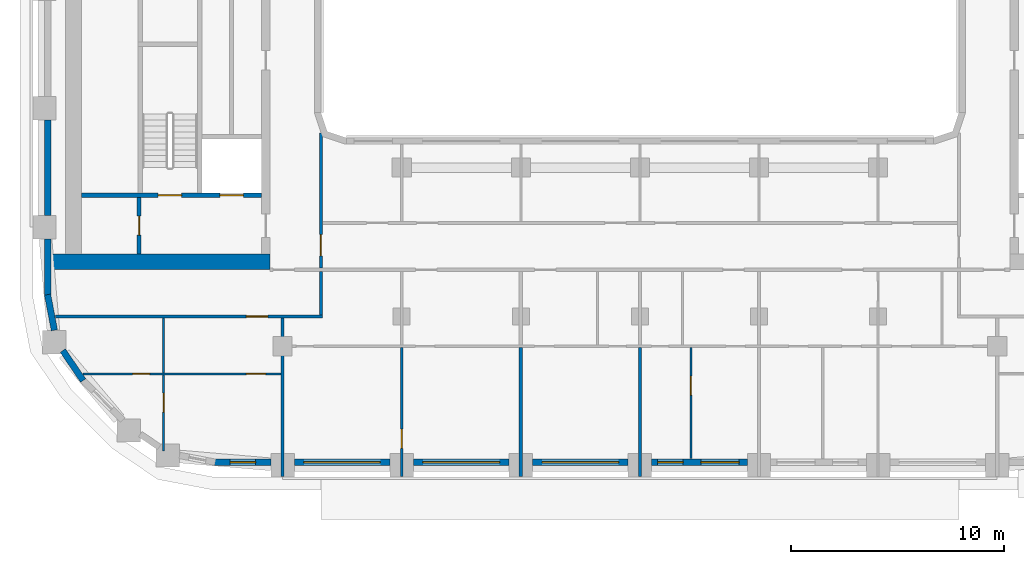
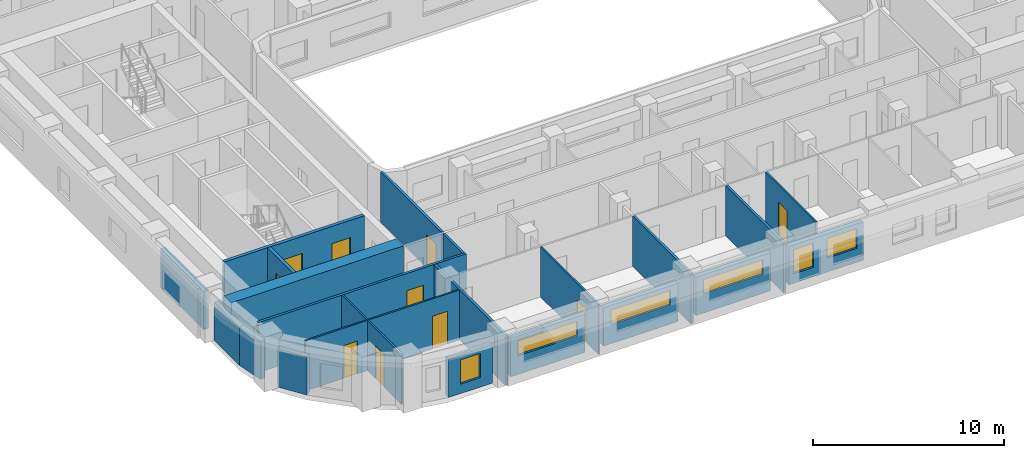
# One storey, part 2 of 22: 23 walls, 10 doors, 6 windows, 16 openings.
"""IFC4 building model written with IfcOpenShell, lengths in metres."""

from ifc_helpers import new_model, si_unit, direction, frame, frame_2d, origin, place, context, subcontext, project, spatial, rectangle, extrude, material, layer, layer_set, type_object, element, fill, save


model = new_model("IFC4")

# Units and contexts
model_context = context("Model", 3, precision=1e-05, world=origin(), true_north=direction((0.0, 1.0)))
body_context = subcontext(model_context, "Body", "Model", "MODEL_VIEW")
ifc_project = project(units=[si_unit("LENGTHUNIT", "METRE"), si_unit("AREAUNIT", "SQUARE_METRE"), si_unit("VOLUMEUNIT", "CUBIC_METRE"), si_unit("PLANEANGLEUNIT", "RADIAN"), si_unit("MASSUNIT", "GRAM", prefix="KILO")], contexts=[model_context])

# Site, building, storey
site_placement = place(None, origin())
site = spatial("IfcSite", under=ifc_project, at=site_placement, CompositionType="ELEMENT")
building_placement = place(site_placement, origin())
building = spatial("IfcBuilding", under=site, at=building_placement, Name="Kiln Ring Residences", CompositionType="ELEMENT")
storey_placement = place(building_placement, frame((0.0, 0.0, 139.60009765625)))
storey = spatial("IfcBuildingStorey", under=building, at=storey_placement, Name="L35", CompositionType="ELEMENT", Elevation=139.60009765625)

# Wall, opening, door
ifc_material_1 = material(Name="Gypsum board on steel studs", Category="steel")
ifc_layer_1 = layer(ifc_material_1, 0.199951171875)
ifc_layer_set_1 = layer_set([ifc_layer_1], Name="CORE-PARTITION-200")
wall_type_1 = type_object("IfcWallType", Name="CORE-PARTITION-200", PredefinedType="PARTITIONING", material=ifc_layer_set_1)
wall_1_placement = place(storey_placement, frame((-23.550048828125, -12.449951171875, 0.0), z_axis=(0.0, 0.0, 1.0), x_axis=(0.0, 1.0, 0.0)))
wall_1 = element("IfcWall", 1, at=wall_1_placement, inside=storey, type_object=wall_type_1, Name="Core partition west L35 5", PredefinedType="PARTITIONING", context=body_context, shape_type="SweptSolid", body=[
    extrude(rectangle(XDim=2.64990234375, YDim=0.199951171875, at=frame_2d((1.324951171875, 0.0))), origin(), (0.0, 0.0, 1.0), 3.199951171875),
])
opening_1_placement = place(wall_1_placement, frame((0.875, 0.0, 0.0)))
opening_1 = element("IfcOpeningElement", 2, at=opening_1_placement, cuts=wall_1, Name="Opening L35-CW10", PredefinedType="OPENING", context=body_context, shape_type="SweptSolid", body=[
    extrude(rectangle(XDim=0.89990234375, YDim=2.10009765625, at=frame_2d((0.449951171875, 1.050048828125))), frame((0.0, 0.10986328125, 0.0), z_axis=(0.0, -1.0, 0.0), x_axis=(1.0, 0.0, 0.0)), (0.0, 0.0, 1.0), 0.219970703125),
])
ifc_material_2 = material(Name="Steel door leaf", Category="steel")
door_type_1 = type_object("IfcDoorType", Name="CORE-DOOR-ROOM", OperationType="SINGLE_SWING_LEFT", PredefinedType="DOOR", material=ifc_material_2)
door_1_placement = place(opening_1_placement, origin())
door_1 = element("IfcDoor", 3, at=door_1_placement, inside=storey, type_object=door_type_1, Name="Store L35-CW10", OperationType="SINGLE_SWING_RIGHT", OverallHeight=2.10009765625, OverallWidth=0.89990234375, PredefinedType="DOOR", context=body_context, shape_type="SweptSolid", body=[
    extrude(rectangle(XDim=0.89990234375, YDim=2.10009765625, at=frame_2d((0.449951171875, 1.050048828125))), frame((0.0, 0.02490234375, 0.0), z_axis=(0.0, -1.0, 0.0), x_axis=(1.0, 0.0, 0.0)), (0.0, 0.0, 1.0), 0.050048828125),
])
fill(opening_1, door_1)

# Wall, openings, doors
ifc_material_3 = material(Name="Concrete C40/50", Category="concrete")
ifc_layer_2 = layer(ifc_material_3, 0.199951171875)
ifc_layer_set_2 = layer_set([ifc_layer_2], Name="CORE-WALL-RC200")
wall_type_2 = type_object("IfcWallType", Name="CORE-WALL-RC200", PredefinedType="SHEAR", material=ifc_layer_set_2)
wall_2_placement = place(storey_placement, frame((-17.800048828125, -9.699951171875, 0.0), z_axis=(0.0, 0.0, 1.0), x_axis=(-1.0, 0.0, 0.0)))
wall_2 = element("IfcWall", 4, at=wall_2_placement, inside=storey, type_object=wall_type_2, Name="Core wall west L35 8", PredefinedType="SHEAR", context=body_context, shape_type="SweptSolid", body=[
    extrude(rectangle(XDim=8.449951171875, YDim=0.199951171875, at=frame_2d((4.22509765625, 0.0))), origin(), (0.0, 0.0, 1.0), 3.199951171875),
])
opening_2_placement = place(wall_2_placement, frame((0.85009765625, 0.0, 0.0)))
opening_2 = element("IfcOpeningElement", 5, at=opening_2_placement, cuts=wall_2, Name="Opening L35-CW01", PredefinedType="OPENING", context=body_context, shape_type="SweptSolid", body=[
    extrude(rectangle(XDim=1.10009765625, YDim=2.10009765625, at=frame_2d((0.550048828125, 1.050048828125))), frame((0.0, 0.10986328125, 0.0), z_axis=(0.0, -1.0, 0.0), x_axis=(1.0, 0.0, 0.0)), (0.0, 0.0, 1.0), 0.219970703125),
])
opening_3_placement = place(wall_2_placement, frame((3.75, 0.0, 0.0)))
opening_3 = element("IfcOpeningElement", 6, at=opening_3_placement, cuts=wall_2, Name="Opening L35-CW12", PredefinedType="OPENING", context=body_context, shape_type="SweptSolid", body=[
    extrude(rectangle(XDim=1.10009765625, YDim=2.10009765625, at=frame_2d((0.550048828125, 1.050048828125))), frame((0.0, 0.10986328125, 0.0), z_axis=(0.0, -1.0, 0.0), x_axis=(1.0, 0.0, 0.0)), (0.0, 0.0, 1.0), 0.219970703125),
])
ifc_material_4 = material(Name="Steel door leaf", Category="steel")
door_type_2 = type_object("IfcDoorType", Name="CORE-DOOR-LD", OperationType="DOUBLE_DOOR_SLIDING", PredefinedType="DOOR", material=ifc_material_4)
door_2_placement = place(opening_2_placement, origin())
door_2 = element("IfcDoor", 7, at=door_2_placement, inside=storey, type_object=door_type_2, Name="LD W-SV L35-CW01", OperationType="DOUBLE_DOOR_SLIDING", OverallHeight=2.10009765625, OverallWidth=1.10009765625, PredefinedType="DOOR", context=body_context, shape_type="SweptSolid", body=[
    extrude(rectangle(XDim=1.10009765625, YDim=2.10009765625, at=frame_2d((0.550048828125, 1.050048828125))), frame((0.0, 0.02490234375, 0.0), z_axis=(0.0, -1.0, 0.0), x_axis=(1.0, 0.0, 0.0)), (0.0, 0.0, 1.0), 0.050048828125),
])
fill(opening_2, door_2)
ifc_material_5 = material(Name="Steel door leaf", Category="steel")
door_type_3 = type_object("IfcDoorType", Name="CORE-DOOR-STAIR", OperationType="SINGLE_SWING_LEFT", PredefinedType="DOOR", material=ifc_material_5)
door_3_placement = place(opening_3_placement, origin())
door_3 = element("IfcDoor", 8, at=door_3_placement, inside=storey, type_object=door_type_3, Name="Stair W-STS L35-CW12", OperationType="SINGLE_SWING_LEFT", OverallHeight=2.10009765625, OverallWidth=1.10009765625, PredefinedType="DOOR", context=body_context, shape_type="SweptSolid", body=[
    extrude(rectangle(XDim=1.10009765625, YDim=2.10009765625, at=frame_2d((0.550048828125, 1.050048828125))), frame((0.0, 0.02490234375, 0.0), z_axis=(0.0, -1.0, 0.0), x_axis=(1.0, 0.0, 0.0)), (0.0, 0.0, 1.0), 0.050048828125),
])
fill(opening_3, door_3)

# Wall
ifc_material_6 = material(Name="Concrete C60/75", Category="concrete")
ifc_layer_3 = layer(ifc_material_6, 0.75)
ifc_layer_set_3 = layer_set([ifc_layer_3], Name="CORE-WALL-RC750")
wall_type_3 = type_object("IfcWallType", Name="CORE-WALL-RC750", PredefinedType="SHEAR", material=ifc_layer_set_3)
wall_3_placement = place(storey_placement, frame((-17.39990234375, -12.824951171875, 0.0), z_axis=(0.0, 0.0, 1.0), x_axis=(-1.0, 0.0, 0.0)))
element("IfcWall", 9, at=wall_3_placement, inside=storey, type_object=wall_type_3, Name="Core wall west L35 5", PredefinedType="SHEAR", context=body_context, shape_type="SweptSolid", body=[
    extrude(rectangle(XDim=10.400146484375, YDim=0.75, at=frame_2d((5.2001953125, 0.0))), origin(), (0.0, 0.0, 1.0), 3.199951171875),
])

# Wall, opening, window
ifc_material_7 = material(Name="Brick masonry, dark clay brick", Category="masonry")
ifc_layer_4 = layer(ifc_material_7, 0.300048828125)
ifc_layer_set_4 = layer_set([ifc_layer_4], Name="EW-300 BRICK WALL")
wall_type_4 = type_object("IfcWallType", Name="EW-300 BRICK WALL", PredefinedType="SOLIDWALL", material=ifc_layer_set_4)
wall_4_placement = place(storey_placement, frame((-20.0, -22.25, 0.0), z_axis=(0.0, 0.0, 1.0), x_axis=(1.0, 0.0, 0.0)))
wall_4 = element("IfcWall", 10, at=wall_4_placement, inside=storey, type_object=wall_type_4, Name="Facade wall L35 4", PredefinedType="SOLIDWALL", context=body_context, shape_type="SweptSolid", body=[
    extrude(rectangle(XDim=2.64990234375, YDim=0.300048828125, at=frame_2d((1.324951171875, 0.0))), origin(), (0.0, 0.0, 1.0), 2.449951171875),
])
opening_4_placement = place(wall_4_placement, frame((0.72509765625, 0.0, 0.60009765625)))
opening_4 = element("IfcOpeningElement", 11, at=opening_4_placement, cuts=wall_4, Name="Opening W1", PredefinedType="OPENING", context=body_context, shape_type="SweptSolid", body=[
    extrude(rectangle(XDim=1.199951171875, YDim=1.550048828125, at=frame_2d((0.60009765625, 0.77490234375))), frame((0.0, 0.159912109375, 0.0), z_axis=(0.0, -1.0, 0.0), x_axis=(1.0, 0.0, 0.0)), (0.0, 0.0, 1.0), 0.320068359375),
])
ifc_material_8 = material(Name="Aluminium frame with double glazing", Category="aluminium")
window_type_1 = type_object("IfcWindowType", Name="WINDOW 1200 x 1550", PartitioningType="SINGLE_PANEL", PredefinedType="WINDOW", material=ifc_material_8)
window_1_placement = place(opening_4_placement, origin())
window_1 = element("IfcWindow", 12, at=window_1_placement, inside=storey, type_object=window_type_1, Name="Window L35 3", OverallHeight=1.550048828125, OverallWidth=1.199951171875, PartitioningType="SINGLE_PANEL", PredefinedType="WINDOW", context=body_context, shape_type="SweptSolid", body=[
    extrude(rectangle(XDim=1.199951171875, YDim=1.550048828125, at=frame_2d((0.60009765625, 0.77490234375))), frame((0.0, 0.030029296875, 0.0), z_axis=(0.0, -1.0, 0.0), x_axis=(1.0, 0.0, 0.0)), (0.0, 0.0, 1.0), 0.06005859375),
])
fill(opening_4, window_1)

wall_5_placement = place(storey_placement, frame((-16.25, -22.25, 0.0), z_axis=(0.0, 0.0, 1.0), x_axis=(1.0, 0.0, 0.0)))
wall_5 = element("IfcWall", 13, at=wall_5_placement, inside=storey, type_object=wall_type_4, Name="Facade wall L35 5", PredefinedType="SOLIDWALL", context=body_context, shape_type="SweptSolid", body=[
    extrude(rectangle(XDim=4.5, YDim=0.300048828125, at=frame_2d((2.25, 0.0))), origin(), (0.0, 0.0, 1.0), 2.449951171875),
])
opening_5_placement = place(wall_5_placement, frame((0.449951171875, 0.0, 1.199951171875)))
opening_5 = element("IfcOpeningElement", 14, at=opening_5_placement, cuts=wall_5, Name="Opening W4", PredefinedType="OPENING", context=body_context, shape_type="SweptSolid", body=[
    extrude(rectangle(XDim=3.60009765625, YDim=0.949951171875, at=frame_2d((1.800048828125, 0.47509765625))), frame((0.0, 0.159912109375, 0.0), z_axis=(0.0, -1.0, 0.0), x_axis=(1.0, 0.0, 0.0)), (0.0, 0.0, 1.0), 0.320068359375),
])
ifc_material_9 = material(Name="Aluminium frame with double glazing", Category="aluminium")
window_type_2 = type_object("IfcWindowType", Name="WINDOW 3600 x 950", PartitioningType="SINGLE_PANEL", PredefinedType="WINDOW", material=ifc_material_9)
window_2_placement = place(opening_5_placement, origin())
window_2 = element("IfcWindow", 15, at=window_2_placement, inside=storey, type_object=window_type_2, Name="Window L35 4", OverallHeight=0.949951171875, OverallWidth=3.60009765625, PartitioningType="SINGLE_PANEL", PredefinedType="WINDOW", context=body_context, shape_type="SweptSolid", body=[
    extrude(rectangle(XDim=3.60009765625, YDim=0.949951171875, at=frame_2d((1.800048828125, 0.47509765625))), frame((0.0, 0.030029296875, 0.0), z_axis=(0.0, -1.0, 0.0), x_axis=(1.0, 0.0, 0.0)), (0.0, 0.0, 1.0), 0.06005859375),
])
fill(opening_5, window_2)

wall_6_placement = place(storey_placement, frame((-10.64990234375, -22.25, 0.0), z_axis=(0.0, 0.0, 1.0), x_axis=(1.0, 0.0, 0.0)))
wall_6 = element("IfcWall", 16, at=wall_6_placement, inside=storey, type_object=wall_type_4, Name="Facade wall L35 6", PredefinedType="SOLIDWALL", context=body_context, shape_type="SweptSolid", body=[
    extrude(rectangle(XDim=4.5, YDim=0.300048828125, at=frame_2d((2.25, 0.0))), origin(), (0.0, 0.0, 1.0), 2.449951171875),
])
opening_6_placement = place(wall_6_placement, frame((0.449951171875, 0.0, 1.199951171875)))
opening_6 = element("IfcOpeningElement", 17, at=opening_6_placement, cuts=wall_6, Name="Opening W4", PredefinedType="OPENING", context=body_context, shape_type="SweptSolid", body=[
    extrude(rectangle(XDim=3.60009765625, YDim=0.949951171875, at=frame_2d((1.800048828125, 0.47509765625))), frame((0.0, 0.159912109375, 0.0), z_axis=(0.0, -1.0, 0.0), x_axis=(1.0, 0.0, 0.0)), (0.0, 0.0, 1.0), 0.320068359375),
])
window_3_placement = place(opening_6_placement, origin())
window_3 = element("IfcWindow", 18, at=window_3_placement, inside=storey, type_object=window_type_2, Name="Window L35 5", OverallHeight=0.949951171875, OverallWidth=3.60009765625, PartitioningType="SINGLE_PANEL", PredefinedType="WINDOW", context=body_context, shape_type="SweptSolid", body=[
    extrude(rectangle(XDim=3.60009765625, YDim=0.949951171875, at=frame_2d((1.800048828125, 0.47509765625))), frame((0.0, 0.030029296875, 0.0), z_axis=(0.0, -1.0, 0.0), x_axis=(1.0, 0.0, 0.0)), (0.0, 0.0, 1.0), 0.06005859375),
])
fill(opening_6, window_3)

wall_7_placement = place(storey_placement, frame((-5.050048828125, -22.25, 0.0), z_axis=(0.0, 0.0, 1.0), x_axis=(1.0, 0.0, 0.0)))
wall_7 = element("IfcWall", 19, at=wall_7_placement, inside=storey, type_object=wall_type_4, Name="Facade wall L35 7", PredefinedType="SOLIDWALL", context=body_context, shape_type="SweptSolid", body=[
    extrude(rectangle(XDim=4.5, YDim=0.300048828125, at=frame_2d((2.25, 0.0))), origin(), (0.0, 0.0, 1.0), 2.449951171875),
])
opening_7_placement = place(wall_7_placement, frame((0.449951171875, 0.0, 1.199951171875)))
opening_7 = element("IfcOpeningElement", 20, at=opening_7_placement, cuts=wall_7, Name="Opening W4", PredefinedType="OPENING", context=body_context, shape_type="SweptSolid", body=[
    extrude(rectangle(XDim=3.60009765625, YDim=0.949951171875, at=frame_2d((1.800048828125, 0.47509765625))), frame((0.0, 0.159912109375, 0.0), z_axis=(0.0, -1.0, 0.0), x_axis=(1.0, 0.0, 0.0)), (0.0, 0.0, 1.0), 0.320068359375),
])
window_4_placement = place(opening_7_placement, origin())
window_4 = element("IfcWindow", 21, at=window_4_placement, inside=storey, type_object=window_type_2, Name="Window L35 6", OverallHeight=0.949951171875, OverallWidth=3.60009765625, PartitioningType="SINGLE_PANEL", PredefinedType="WINDOW", context=body_context, shape_type="SweptSolid", body=[
    extrude(rectangle(XDim=3.60009765625, YDim=0.949951171875, at=frame_2d((1.800048828125, 0.47509765625))), frame((0.0, 0.030029296875, 0.0), z_axis=(0.0, -1.0, 0.0), x_axis=(1.0, 0.0, 0.0)), (0.0, 0.0, 1.0), 0.06005859375),
])
fill(opening_7, window_4)

# Wall, openings, windows
wall_8_placement = place(storey_placement, frame((0.550048828125, -22.25, 0.0), z_axis=(0.0, 0.0, 1.0), x_axis=(1.0, 0.0, 0.0)))
wall_8 = element("IfcWall", 22, at=wall_8_placement, inside=storey, type_object=wall_type_4, Name="Facade wall L35 8", PredefinedType="SOLIDWALL", context=body_context, shape_type="SweptSolid", body=[
    extrude(rectangle(XDim=4.5, YDim=0.300048828125, at=frame_2d((2.25, 0.0))), origin(), (0.0, 0.0, 1.0), 2.449951171875),
])
opening_8_placement = place(wall_8_placement, frame((0.28759765625, 0.0, 0.60009765625)))
opening_8 = element("IfcOpeningElement", 23, at=opening_8_placement, cuts=wall_8, Name="Opening W1", PredefinedType="OPENING", context=body_context, shape_type="SweptSolid", body=[
    extrude(rectangle(XDim=1.199951171875, YDim=1.550048828125, at=frame_2d((0.60009765625, 0.77490234375))), frame((0.0, 0.159912109375, 0.0), z_axis=(0.0, -1.0, 0.0), x_axis=(1.0, 0.0, 0.0)), (0.0, 0.0, 1.0), 0.320068359375),
])
opening_9_placement = place(wall_8_placement, frame((2.3125, 0.0, 0.89990234375)))
opening_9 = element("IfcOpeningElement", 24, at=opening_9_placement, cuts=wall_8, Name="Opening W2", PredefinedType="OPENING", context=body_context, shape_type="SweptSolid", body=[
    extrude(rectangle(XDim=1.800048828125, YDim=1.25, at=frame_2d((0.89990234375, 0.625))), frame((0.0, 0.159912109375, 0.0), z_axis=(0.0, -1.0, 0.0), x_axis=(1.0, 0.0, 0.0)), (0.0, 0.0, 1.0), 0.320068359375),
])
window_5_placement = place(opening_8_placement, origin())
window_5 = element("IfcWindow", 25, at=window_5_placement, inside=storey, type_object=window_type_1, Name="Window L35 7", OverallHeight=1.550048828125, OverallWidth=1.199951171875, PartitioningType="SINGLE_PANEL", PredefinedType="WINDOW", context=body_context, shape_type="SweptSolid", body=[
    extrude(rectangle(XDim=1.199951171875, YDim=1.550048828125, at=frame_2d((0.60009765625, 0.77490234375))), frame((0.0, 0.030029296875, 0.0), z_axis=(0.0, -1.0, 0.0), x_axis=(1.0, 0.0, 0.0)), (0.0, 0.0, 1.0), 0.06005859375),
])
fill(opening_8, window_5)
ifc_material_10 = material(Name="Aluminium frame with double glazing", Category="aluminium")
window_type_3 = type_object("IfcWindowType", Name="WINDOW 1800 x 1250", PartitioningType="SINGLE_PANEL", PredefinedType="WINDOW", material=ifc_material_10)
window_6_placement = place(opening_9_placement, origin())
window_6 = element("IfcWindow", 26, at=window_6_placement, inside=storey, type_object=window_type_3, Name="Window L35 8", OverallHeight=1.25, OverallWidth=1.800048828125, PartitioningType="SINGLE_PANEL", PredefinedType="WINDOW", context=body_context, shape_type="SweptSolid", body=[
    extrude(rectangle(XDim=1.800048828125, YDim=1.25, at=frame_2d((0.89990234375, 0.625))), frame((0.0, 0.030029296875, 0.0), z_axis=(0.0, -1.0, 0.0), x_axis=(1.0, 0.0, 0.0)), (0.0, 0.0, 1.0), 0.06005859375),
])
fill(opening_9, window_6)

# Walls
wall_9_placement = place(storey_placement, frame((-27.85009765625, -6.14990234375, 0.0), z_axis=(0.0, 0.0, 1.0), x_axis=(0.0, -1.0, 0.0)))
element("IfcWall", 27, at=wall_9_placement, inside=storey, type_object=wall_type_4, Name="Facade wall L35 45", PredefinedType="SOLIDWALL", context=body_context, shape_type="SweptSolid", body=[
    extrude(rectangle(XDim=4.5, YDim=0.300048828125, at=frame_2d((2.25, 0.0))), origin(), (0.0, 0.0, 1.0), 2.449951171875),
])
wall_10_placement = place(storey_placement, frame((-27.85009765625, -11.75, 0.0), z_axis=(0.0, 0.0, 1.0), x_axis=(0.0, -1.0, 0.0)))
element("IfcWall", 28, at=wall_10_placement, inside=storey, type_object=wall_type_4, Name="Facade wall L35 46", PredefinedType="SOLIDWALL", context=body_context, shape_type="SweptSolid", body=[
    extrude(rectangle(XDim=2.64990234375, YDim=0.300048828125, at=frame_2d((1.324951171875, 0.0))), origin(), (0.0, 0.0, 1.0), 2.449951171875),
])
wall_11_placement = place(storey_placement, frame((-27.8525390625, -14.371826171875, 0.0), z_axis=(0.0, 0.0, 1.0), x_axis=(0.187302784601, -0.982302227871, 0.0)))
element("IfcWall", 29, at=wall_11_placement, inside=storey, type_object=wall_type_4, Name="Facade wall L35 47", PredefinedType="SOLIDWALL", context=body_context, shape_type="SweptSolid", body=[
    extrude(rectangle(XDim=1.706298828125, YDim=0.300048828125, at=frame_2d((0.85302734375, 0.0))), origin(), (0.0, 0.0, 1.0), 2.449951171875),
])
wall_12_placement = place(storey_placement, frame((-27.137939453125, -17.001708984375, 0.0), z_axis=(0.0, 0.0, 1.0), x_axis=(0.562075160946, -0.827086158419, 0.0)))
element("IfcWall", 30, at=wall_12_placement, inside=storey, type_object=wall_type_4, Name="Facade wall L35 48", PredefinedType="SOLIDWALL", context=body_context, shape_type="SweptSolid", body=[
    extrude(rectangle(XDim=1.7060546875, YDim=0.300048828125, at=frame_2d((0.85302734375, 0.0))), origin(), (0.0, 0.0, 1.0), 2.449951171875),
])

# Wall, openings, doors
ifc_material_11 = material(Name="Gypsum board on steel studs", Category="steel")
ifc_layer_5 = layer(ifc_material_11, 0.10009765625)
ifc_layer_set_5 = layer_set([ifc_layer_5], Name="PARTITION-100")
wall_type_5 = type_object("IfcWallType", Name="PARTITION-100", PredefinedType="PARTITIONING", material=ifc_layer_set_5)
wall_13_placement = place(storey_placement, frame((-26.190185546875, -18.10009765625, 0.0), z_axis=(0.0, 0.0, 1.0), x_axis=(1.0, 0.0, 0.0)))
wall_13 = element("IfcWall", 31, at=wall_13_placement, inside=storey, type_object=wall_type_5, Name="Partition 000", PredefinedType="PARTITIONING", context=body_context, shape_type="SweptSolid", body=[
    extrude(rectangle(XDim=9.315185546875, YDim=0.10009765625, at=frame_2d((4.65771484375, 0.0))), origin(), (0.0, 0.0, 1.0), 3.199951171875),
])
opening_10_placement = place(wall_13_placement, frame((2.340087890625, 0.0, 0.0)))
opening_10 = element("IfcOpeningElement", 32, at=opening_10_placement, cuts=wall_13, Name="Opening L35-D071", PredefinedType="OPENING", context=body_context, shape_type="SweptSolid", body=[
    extrude(rectangle(XDim=0.800048828125, YDim=2.10009765625, at=frame_2d((0.39990234375, 1.050048828125))), frame((0.0, 0.06005859375, 0.0), z_axis=(0.0, -1.0, 0.0), x_axis=(1.0, 0.0, 0.0)), (0.0, 0.0, 1.0), 0.1201171875),
])
opening_11_placement = place(wall_13_placement, frame((7.690185546875, 0.0, 0.0)))
opening_11 = element("IfcOpeningElement", 33, at=opening_11_placement, cuts=wall_13, Name="Opening L35-D072", PredefinedType="OPENING", context=body_context, shape_type="SweptSolid", body=[
    extrude(rectangle(XDim=0.89990234375, YDim=2.10009765625, at=frame_2d((0.449951171875, 1.050048828125))), frame((0.0, 0.06005859375, 0.0), z_axis=(0.0, -1.0, 0.0), x_axis=(1.0, 0.0, 0.0)), (0.0, 0.0, 1.0), 0.1201171875),
])
ifc_material_12 = material(Name="Timber door leaf", Category="wood")
door_type_4 = type_object("IfcDoorType", Name="FLAT-DOOR-800-PL", OperationType="SINGLE_SWING_LEFT", PredefinedType="DOOR", material=ifc_material_12)
door_4_placement = place(opening_10_placement, origin())
door_4 = element("IfcDoor", 34, at=door_4_placement, inside=storey, type_object=door_type_4, Name="Door L35-D071", OperationType="SINGLE_SWING_LEFT", OverallHeight=2.10009765625, OverallWidth=0.800048828125, PredefinedType="DOOR", context=body_context, shape_type="SweptSolid", body=[
    extrude(rectangle(XDim=0.800048828125, YDim=2.10009765625, at=frame_2d((0.39990234375, 1.050048828125))), frame((0.0, 0.02490234375, 0.0), z_axis=(0.0, -1.0, 0.0), x_axis=(1.0, 0.0, 0.0)), (0.0, 0.0, 1.0), 0.050048828125),
])
fill(opening_10, door_4)
ifc_material_13 = material(Name="Timber door leaf", Category="wood")
door_type_5 = type_object("IfcDoorType", Name="FLAT-DOOR-900-PL", OperationType="SINGLE_SWING_LEFT", PredefinedType="DOOR", material=ifc_material_13)
door_5_placement = place(opening_11_placement, origin())
door_5 = element("IfcDoor", 35, at=door_5_placement, inside=storey, type_object=door_type_5, Name="Door L35-D072", OperationType="SINGLE_SWING_RIGHT", OverallHeight=2.10009765625, OverallWidth=0.89990234375, PredefinedType="DOOR", context=body_context, shape_type="SweptSolid", body=[
    extrude(rectangle(XDim=0.89990234375, YDim=2.10009765625, at=frame_2d((0.449951171875, 1.050048828125))), frame((0.0, 0.02490234375, 0.0), z_axis=(0.0, -1.0, 0.0), x_axis=(1.0, 0.0, 0.0)), (0.0, 0.0, 1.0), 0.050048828125),
])
fill(opening_11, door_5)

# Wall, opening, door
wall_14_placement = place(storey_placement, frame((-22.39990234375, -21.719970703125, 0.0), z_axis=(0.0, 0.0, 1.0), x_axis=(0.0, 1.0, 0.0)))
wall_14 = element("IfcWall", 36, at=wall_14_placement, inside=storey, type_object=wall_type_5, Name="Partition 014", PredefinedType="PARTITIONING", context=body_context, shape_type="SweptSolid", body=[
    extrude(rectangle(XDim=3.570068359375, YDim=0.10009765625, at=frame_2d((1.78515625, 0.0))), origin(), (0.0, 0.0, 1.0), 3.199951171875),
])
opening_12_placement = place(wall_14_placement, frame((1.820068359375, 0.0, 0.0)))
opening_12 = element("IfcOpeningElement", 37, at=opening_12_placement, cuts=wall_14, Name="Opening L35-D073", PredefinedType="OPENING", context=body_context, shape_type="SweptSolid", body=[
    extrude(rectangle(XDim=0.89990234375, YDim=2.10009765625, at=frame_2d((0.449951171875, 1.050048828125))), frame((0.0, 0.06005859375, 0.0), z_axis=(0.0, -1.0, 0.0), x_axis=(1.0, 0.0, 0.0)), (0.0, 0.0, 1.0), 0.1201171875),
])
door_6_placement = place(opening_12_placement, origin())
door_6 = element("IfcDoor", 38, at=door_6_placement, inside=storey, type_object=door_type_5, Name="Door L35-D073", OperationType="SINGLE_SWING_LEFT", OverallHeight=2.10009765625, OverallWidth=0.89990234375, PredefinedType="DOOR", context=body_context, shape_type="SweptSolid", body=[
    extrude(rectangle(XDim=0.89990234375, YDim=2.10009765625, at=frame_2d((0.449951171875, 1.050048828125))), frame((0.0, 0.02490234375, 0.0), z_axis=(0.0, -1.0, 0.0), x_axis=(1.0, 0.0, 0.0)), (0.0, 0.0, 1.0), 0.050048828125),
])
fill(opening_12, door_6)

# Wall
wall_15_placement = place(storey_placement, frame((-22.39990234375, -18.050048828125, 0.0), z_axis=(0.0, 0.0, 1.0), x_axis=(0.0, 1.0, 0.0)))
element("IfcWall", 39, at=wall_15_placement, inside=storey, type_object=wall_type_5, Name="Partition 015", PredefinedType="PARTITIONING", context=body_context, shape_type="SweptSolid", body=[
    extrude(rectangle(XDim=2.574951171875, YDim=0.10009765625, at=frame_2d((1.28759765625, 0.0))), origin(), (0.0, 0.0, 1.0), 3.199951171875),
])

# Wall, opening, door
wall_16_placement = place(storey_placement, frame((-11.199951171875, -22.929931640625, 0.0), z_axis=(0.0, 0.0, 1.0), x_axis=(0.0, 1.0, 0.0)))
wall_16 = element("IfcWall", 40, at=wall_16_placement, inside=storey, type_object=wall_type_5, Name="Partition 024", PredefinedType="PARTITIONING", context=body_context, shape_type="SweptSolid", body=[
    extrude(rectangle(XDim=6.079833984375, YDim=0.10009765625, at=frame_2d((3.0400390625, 0.0))), origin(), (0.0, 0.0, 1.0), 3.199951171875),
])
opening_13_placement = place(wall_16_placement, frame((1.330078125, 0.0, 0.0)))
opening_13 = element("IfcOpeningElement", 41, at=opening_13_placement, cuts=wall_16, Name="Opening L35-D052", PredefinedType="OPENING", context=body_context, shape_type="SweptSolid", body=[
    extrude(rectangle(XDim=0.89990234375, YDim=2.10009765625, at=frame_2d((0.449951171875, 1.050048828125))), frame((0.0, 0.06005859375, 0.0), z_axis=(0.0, -1.0, 0.0), x_axis=(1.0, 0.0, 0.0)), (0.0, 0.0, 1.0), 0.1201171875),
])
door_7_placement = place(opening_13_placement, origin())
door_7 = element("IfcDoor", 42, at=door_7_placement, inside=storey, type_object=door_type_5, Name="Door L35-D052", OperationType="SINGLE_SWING_RIGHT", OverallHeight=2.10009765625, OverallWidth=0.89990234375, PredefinedType="DOOR", context=body_context, shape_type="SweptSolid", body=[
    extrude(rectangle(XDim=0.89990234375, YDim=2.10009765625, at=frame_2d((0.449951171875, 1.050048828125))), frame((0.0, 0.02490234375, 0.0), z_axis=(0.0, -1.0, 0.0), x_axis=(1.0, 0.0, 0.0)), (0.0, 0.0, 1.0), 0.050048828125),
])
fill(opening_13, door_7)

wall_17_placement = place(storey_placement, frame((2.39990234375, -22.080078125, 0.0), z_axis=(0.0, 0.0, 1.0), x_axis=(0.0, 1.0, 0.0)))
wall_17 = element("IfcWall", 43, at=wall_17_placement, inside=storey, type_object=wall_type_5, Name="Partition 046", PredefinedType="PARTITIONING", context=body_context, shape_type="SweptSolid", body=[
    extrude(rectangle(XDim=5.22998046875, YDim=0.10009765625, at=frame_2d((2.614990234375, 0.0))), origin(), (0.0, 0.0, 1.0), 3.199951171875),
])
opening_14_placement = place(wall_17_placement, frame((2.97998046875, 0.0, 0.0)))
opening_14 = element("IfcOpeningElement", 44, at=opening_14_placement, cuts=wall_17, Name="Opening L35-D059", PredefinedType="OPENING", context=body_context, shape_type="SweptSolid", body=[
    extrude(rectangle(XDim=0.89990234375, YDim=2.10009765625, at=frame_2d((0.449951171875, 1.050048828125))), frame((0.0, 0.06005859375, 0.0), z_axis=(0.0, -1.0, 0.0), x_axis=(1.0, 0.0, 0.0)), (0.0, 0.0, 1.0), 0.1201171875),
])
door_8_placement = place(opening_14_placement, origin())
door_8 = element("IfcDoor", 45, at=door_8_placement, inside=storey, type_object=door_type_5, Name="Door L35-D059", OperationType="SINGLE_SWING_LEFT", OverallHeight=2.10009765625, OverallWidth=0.89990234375, PredefinedType="DOOR", context=body_context, shape_type="SweptSolid", body=[
    extrude(rectangle(XDim=0.89990234375, YDim=2.10009765625, at=frame_2d((0.449951171875, 1.050048828125))), frame((0.0, 0.02490234375, 0.0), z_axis=(0.0, -1.0, 0.0), x_axis=(1.0, 0.0, 0.0)), (0.0, 0.0, 1.0), 0.050048828125),
])
fill(opening_14, door_8)

ifc_material_14 = material(Name="Brick masonry partition", Category="masonry")
ifc_layer_6 = layer(ifc_material_14, 0.14990234375)
ifc_layer_set_6 = layer_set([ifc_layer_6], Name="PARTITION-150-ei60")
wall_type_6 = type_object("IfcWallType", Name="PARTITION-150-ei60", PredefinedType="PARTITIONING", material=ifc_layer_set_6)
wall_18_placement = place(storey_placement, frame((-27.48388671875, -15.39990234375, 0.0), z_axis=(0.0, 0.0, 1.0), x_axis=(1.0, 0.0, 0.0)))
wall_18 = element("IfcWall", 46, at=wall_18_placement, inside=storey, type_object=wall_type_6, Name="Partition 003", PredefinedType="PARTITIONING", context=body_context, shape_type="SweptSolid", body=[
    extrude(rectangle(XDim=12.558837890625, YDim=0.14990234375, at=frame_2d((6.279296875, 0.0))), origin(), (0.0, 0.0, 1.0), 3.199951171875),
])
opening_15_placement = place(wall_18_placement, frame((8.98388671875, 0.0, 0.0)))
opening_15 = element("IfcOpeningElement", 47, at=opening_15_placement, cuts=wall_18, Name="Opening L35-D070", PredefinedType="OPENING", context=body_context, shape_type="SweptSolid", body=[
    extrude(rectangle(XDim=1.0, YDim=2.10009765625, at=frame_2d((0.5, 1.050048828125))), frame((0.0, 0.0849609375, 0.0), z_axis=(0.0, -1.0, 0.0), x_axis=(1.0, 0.0, 0.0)), (0.0, 0.0, 1.0), 0.169921875),
])
ifc_material_15 = material(Name="Steel faced fire door leaf", Category="steel")
door_type_6 = type_object("IfcDoorType", Name="FLAT-DOOR-1000-FR", OperationType="SINGLE_SWING_LEFT", PredefinedType="DOOR", material=ifc_material_15)
door_9_placement = place(opening_15_placement, origin())
door_9 = element("IfcDoor", 48, at=door_9_placement, inside=storey, type_object=door_type_6, Name="Door L35-D070", OperationType="SINGLE_SWING_RIGHT", OverallHeight=2.10009765625, OverallWidth=1.0, PredefinedType="DOOR", context=body_context, shape_type="SweptSolid", body=[
    extrude(rectangle(XDim=1.0, YDim=2.10009765625, at=frame_2d((0.5, 1.050048828125))), frame((0.0, 0.02490234375, 0.0), z_axis=(0.0, -1.0, 0.0), x_axis=(1.0, 0.0, 0.0)), (0.0, 0.0, 1.0), 0.050048828125),
])
fill(opening_15, door_9)

# Walls
wall_19_placement = place(storey_placement, frame((-16.800048828125, -22.929931640625, 0.0), z_axis=(0.0, 0.0, 1.0), x_axis=(0.0, 1.0, 0.0)))
element("IfcWall", 49, at=wall_19_placement, inside=storey, type_object=wall_type_6, Name="Partition 018", PredefinedType="PARTITIONING", context=body_context, shape_type="SweptSolid", body=[
    extrude(rectangle(XDim=7.454833984375, YDim=0.14990234375, at=frame_2d((3.7275390625, 0.0))), origin(), (0.0, 0.0, 1.0), 3.199951171875),
])
wall_20_placement = place(storey_placement, frame((-15.0, -15.324951171875, 0.0), z_axis=(0.0, 0.0, 1.0), x_axis=(0.0, 1.0, 0.0)))
element("IfcWall", 50, at=wall_20_placement, inside=storey, type_object=wall_type_6, Name="Partition 020", PredefinedType="PARTITIONING", context=body_context, shape_type="SweptSolid", body=[
    extrude(rectangle(XDim=2.050048828125, YDim=0.14990234375, at=frame_2d((1.02490234375, 0.0))), origin(), (0.0, 0.0, 1.0), 3.199951171875),
])

# Wall, opening, door
wall_21_placement = place(storey_placement, frame((-15.0, -13.125, 0.0), z_axis=(0.0, 0.0, 1.0), x_axis=(0.0, 1.0, 0.0)))
wall_21 = element("IfcWall", 51, at=wall_21_placement, inside=storey, type_object=wall_type_6, Name="Partition 021", PredefinedType="PARTITIONING", context=body_context, shape_type="SweptSolid", body=[
    extrude(rectangle(XDim=6.356201171875, YDim=0.14990234375, at=frame_2d((3.17822265625, 0.0))), origin(), (0.0, 0.0, 1.0), 3.199951171875),
])
opening_16_placement = place(wall_21_placement, frame((0.574951171875, 0.0, 0.0)))
opening_16 = element("IfcOpeningElement", 52, at=opening_16_placement, cuts=wall_21, Name="Opening L35-D005", PredefinedType="OPENING", context=body_context, shape_type="SweptSolid", body=[
    extrude(rectangle(XDim=1.0, YDim=2.10009765625, at=frame_2d((0.5, 1.050048828125))), frame((0.0, 0.0849609375, 0.0), z_axis=(0.0, -1.0, 0.0), x_axis=(1.0, 0.0, 0.0)), (0.0, 0.0, 1.0), 0.169921875),
])
door_10_placement = place(opening_16_placement, origin())
door_10 = element("IfcDoor", 53, at=door_10_placement, inside=storey, type_object=door_type_6, Name="Door L35-D005", OperationType="SINGLE_SWING_RIGHT", OverallHeight=2.10009765625, OverallWidth=1.0, PredefinedType="DOOR", context=body_context, shape_type="SweptSolid", body=[
    extrude(rectangle(XDim=1.0, YDim=2.10009765625, at=frame_2d((0.5, 1.050048828125))), frame((0.0, 0.02490234375, 0.0), z_axis=(0.0, -1.0, 0.0), x_axis=(1.0, 0.0, 0.0)), (0.0, 0.0, 1.0), 0.050048828125),
])
fill(opening_16, door_10)

# Walls
for number, where, z_axis, x_axis, name in (
    (54, (-5.60009765625, -22.929931640625, 0.0), (0.0, 0.0, 1.0), (0.0, 1.0, 0.0), "Partition 032"),
    (55, (0.0, -22.929931640625, 0.0), (0.0, 0.0, 1.0), (0.0, 1.0, 0.0), "Partition 041"),
):
    element("IfcWall", number, at=place(storey_placement, frame(where, z_axis=z_axis, x_axis=x_axis)), inside=storey, type_object=wall_type_6, Name=name, PredefinedType="PARTITIONING", context=body_context, shape_type="SweptSolid", body=[
        extrude(rectangle(XDim=6.079833984375, YDim=0.14990234375, at=frame_2d((3.0400390625, 0.0))), origin(), (0.0, 0.0, 1.0), 3.199951171875),
    ])

save(model, "model.ifc")
